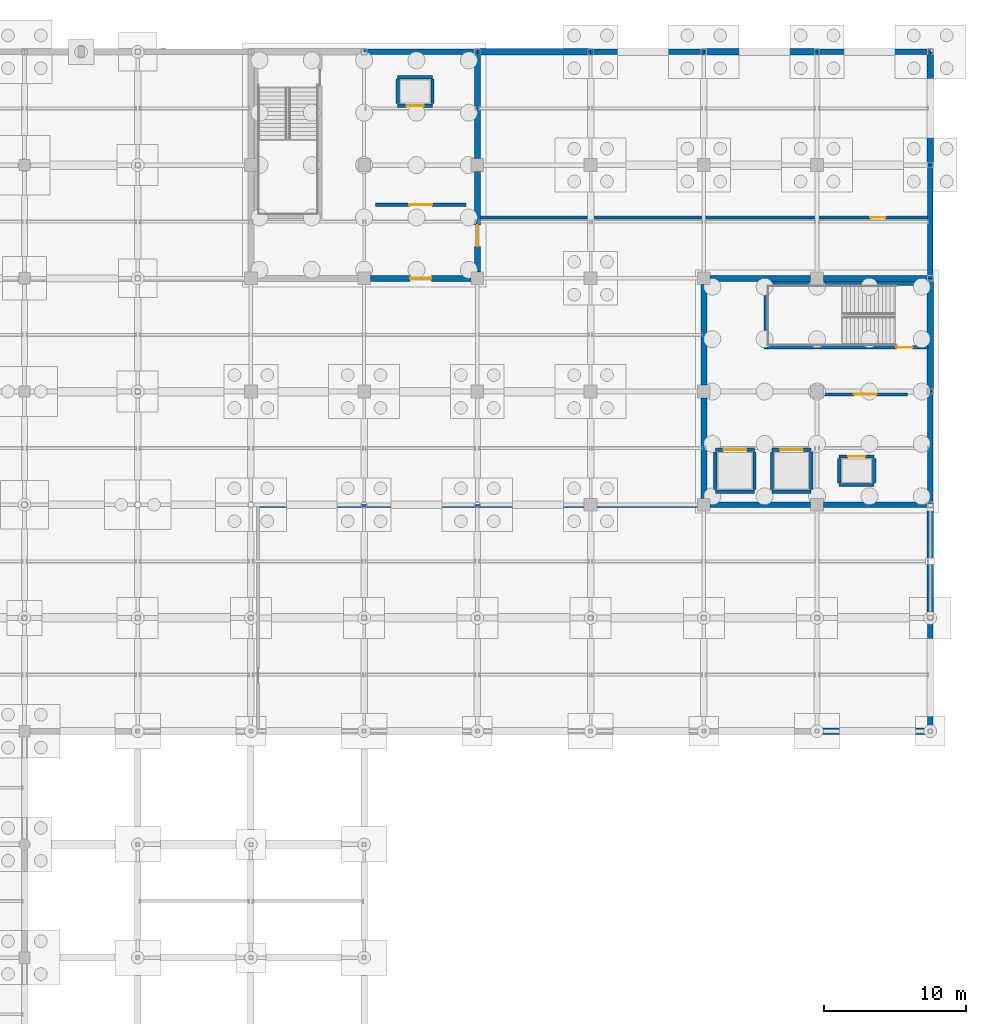
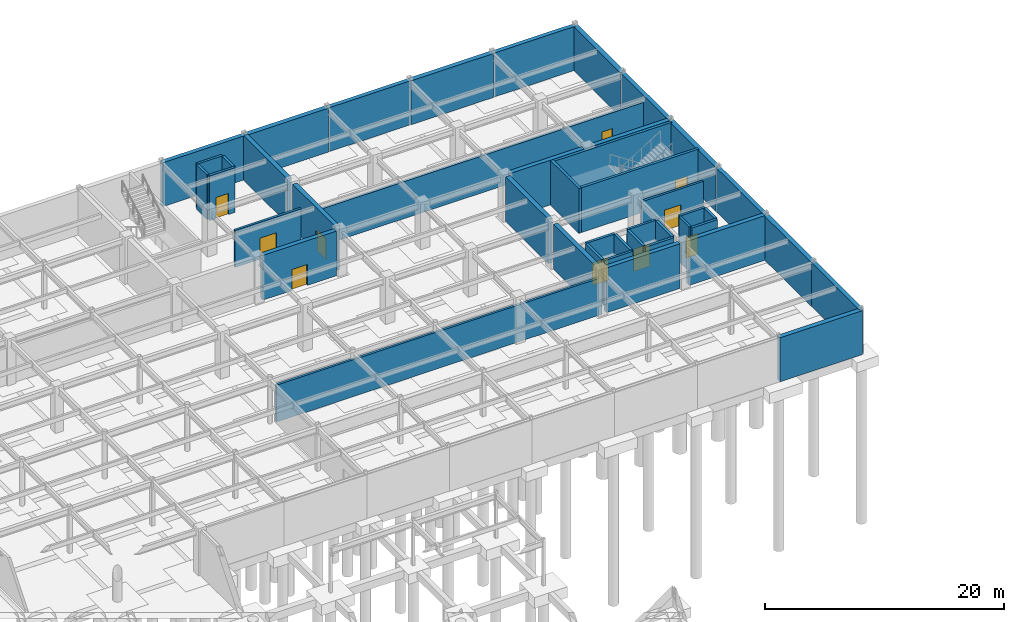
# One storey, part 61 of 105: 44 walls, 10 doors, 10 openings.
"""IFC4 building model written with IfcOpenShell, lengths in metres."""

import ifcopenshell
import ifcopenshell.guid

model = None  # the IFC model being written
_history = None  # IfcOwnerHistory: only IFC2X3 demands one
_inside = {}  # id of a spatial element -> (the spatial element, [elements in it])
_under = {}  # id of a project, library or spatial element -> (it, [spatial elements below it])
_declared = {}  # id of a project -> (the project, [libraries it declares])
_typed = {}  # id of a type object -> (the type object, [elements of that type])
_made_of = {}  # id of a material, layer set ... -> (it, [elements and type objects made of it])


def new_model(schema):
    """Start an empty IFC model of exactly this schema.

    Asked for "IFC4X3", IfcOpenShell would pick the latest addendum, in which some entities
    have other attributes; the version numbers below select the first issue.
    IFC2X3 requires an IfcOwnerHistory on every rooted entity: one is made here for all.
    """
    global model, _history
    if schema == "IFC4X3":
        model = ifcopenshell.file(schema_version=(4, 3, 0, 0))
    else:
        model = ifcopenshell.file(schema=schema)
    _inside.clear()
    _under.clear()
    _declared.clear()
    _typed.clear()
    _made_of.clear()
    _history = None
    if model.schema == "IFC2X3":
        org = make("IfcOrganization", Name="unknown")
        user = make(
            "IfcPersonAndOrganization",
            ThePerson=make("IfcPerson", FamilyName="unknown"),
            TheOrganization=org,
        )
        app = make(
            "IfcApplication",
            ApplicationDeveloper=org,
            Version="unknown",
            ApplicationFullName="unknown",
            ApplicationIdentifier="unknown",
        )
        _history = make(
            "IfcOwnerHistory",
            OwningUser=user,
            OwningApplication=app,
            ChangeAction="ADDED",
            CreationDate=0,
        )
    return model


def make(cls, **values):
    """One entity of the class cls with the attributes given. An attribute that is None is left unset."""
    return model.create_entity(
        cls, **{name: value for name, value in values.items() if value is not None}
    )


def rooted(cls, **values):
    """An entity with a GlobalId (a new one), such as an element, a storey or a relation."""
    return make(cls, GlobalId=ifcopenshell.guid.new(), OwnerHistory=_history, **values)


def si_unit(unit_type, name, prefix=None):
    """IfcSIUnit, for example si_unit("LENGTHUNIT", "METRE", prefix="MILLI")."""
    return make("IfcSIUnit", UnitType=unit_type, Prefix=prefix, Name=name)


def assignment(units):
    """IfcUnitAssignment: the units of a project."""
    return None if units is None else make("IfcUnitAssignment", Units=units)


def point(xyz):
    """IfcCartesianPoint."""
    return None if xyz is None else make("IfcCartesianPoint", Coordinates=xyz)


def direction(xyz):
    """IfcDirection."""
    return None if xyz is None else make("IfcDirection", DirectionRatios=xyz)


def frame(location, z_axis=None, x_axis=None):
    """IfcAxis2Placement3D, a coordinate frame: its origin and axes. An axis left out is left unset."""
    return make(
        "IfcAxis2Placement3D",
        Location=point(location),
        Axis=direction(z_axis),
        RefDirection=direction(x_axis),
    )


def frame_2d(location, x_axis=None):
    """IfcAxis2Placement2D, a coordinate frame in the plane: its origin and x axis."""
    return make(
        "IfcAxis2Placement2D", Location=point(location), RefDirection=direction(x_axis)
    )


def origin():
    """The frame at (0, 0, 0) with its axes left unset."""
    return frame((0.0, 0.0, 0.0))


def place(relative_to, where):
    """IfcLocalPlacement: puts the frame where relative to a parent placement (None: the world)."""
    return make(
        "IfcLocalPlacement", PlacementRelTo=relative_to, RelativePlacement=where
    )


def context(
    kind, dimensions, precision=None, world=None, true_north=None, identifier=None
):
    """IfcGeometricRepresentationContext, for example the 3D "Model" context."""
    return make(
        "IfcGeometricRepresentationContext",
        ContextIdentifier=identifier,
        ContextType=kind,
        CoordinateSpaceDimension=dimensions,
        Precision=precision,
        WorldCoordinateSystem=world,
        TrueNorth=true_north,
    )


def subcontext(parent, identifier, kind, view, scale=None):
    """IfcGeometricRepresentationSubContext, for example "Body" below "Model"."""
    return make(
        "IfcGeometricRepresentationSubContext",
        ContextIdentifier=identifier,
        ContextType=kind,
        ParentContext=parent,
        TargetScale=scale,
        TargetView=view,
    )


def project(units=None, contexts=None):
    """IfcProject with its units and contexts."""
    return rooted(
        "IfcProject",
        Name="project",
        RepresentationContexts=contexts,
        UnitsInContext=assignment(units),
    )


def spatial(cls, under=None, at=None, **own):
    """A site, building, storey or space (cls), placed at a placement, below another one or the project."""
    s = rooted(cls, ObjectPlacement=at, **own)
    if under is not None:
        _under.setdefault(under.id(), (under, []))[1].append(s)
    return s


def profile(cls, at=None, kind="AREA", **sizes):
    """A parametric profile (cls). Its sizes go by their IFC names, for example OverallWidth=200.0."""
    return make(cls, ProfileType=kind, Position=at, **sizes)


def rectangle(**sizes):
    """IfcRectangleProfileDef."""
    return profile("IfcRectangleProfileDef", **sizes)


def extrude(swept, where, along, depth):
    """IfcExtrudedAreaSolid: the profile swept, set in the frame where, extruded along a direction by depth."""
    return make(
        "IfcExtrudedAreaSolid",
        SweptArea=swept,
        Position=where,
        ExtrudedDirection=direction(along),
        Depth=depth,
    )


def shape(context_of_items, identifier, shape_type, items):
    """IfcShapeRepresentation: the items that make up one representation, for example the "Body"."""
    return make(
        "IfcShapeRepresentation",
        ContextOfItems=context_of_items,
        RepresentationIdentifier=identifier,
        RepresentationType=shape_type,
        Items=items,
    )


def material(Name=None, Category=None):
    """IfcMaterial."""
    return make("IfcMaterial", Name=Name, Category=Category)


def layer(
    of_material, thickness, ventilated=None, Name=None, Category=None, Priority=None
):
    """IfcMaterialLayer: one layer of a wall or slab, of a material (None: an air gap)."""
    return make(
        "IfcMaterialLayer",
        Material=of_material,
        LayerThickness=thickness,
        IsVentilated=ventilated,
        Name=Name,
        Category=Category,
        Priority=Priority,
    )


def layer_set(layers, Name=None):
    """IfcMaterialLayerSet."""
    return make("IfcMaterialLayerSet", MaterialLayers=layers, LayerSetName=Name)


def made_of(thing, what):
    """Note that an element or type object is made of a material, layer set ...; save() writes the relation."""
    if what is not None:
        _made_of.setdefault(what.id(), (what, []))[1].append(thing)
    return thing


def type_object(cls, material=None, **own):
    """A type object (cls), such as IfcWallType, which elements share."""
    return made_of(rooted(cls, **own), material)


def element(
    cls,
    number,
    at=None,
    inside=None,
    cuts=None,
    type_object=None,
    material=None,
    context=None,
    identifier="Body",
    shape_type=None,
    held_by="IfcProductDefinitionShape",
    body=None,
    shapes=None,
    **own,
):
    """One element of the class cls, such as IfcWall. Its Tag is "e" and its number.

    at: its placement. inside: the storey or other place that contains it. cuts: it is an
    opening in that element (IfcRelVoidsElement). A single representation is given by context,
    identifier, shape_type and body (its items); several are given by shapes. held_by: the class
    of the entity that holds the representations. save() writes the other relations.
    """
    e = rooted(cls, Tag="e%d" % number, ObjectPlacement=at, **own)
    if body is not None:
        shapes = [shape(context, identifier, shape_type, body)]
    if shapes is not None:
        e.Representation = make(held_by, Representations=shapes)
    if inside is not None:
        _inside.setdefault(inside.id(), (inside, []))[1].append(e)
    if cuts is not None:
        rooted(
            "IfcRelVoidsElement", RelatingBuildingElement=cuts, RelatedOpeningElement=e
        )
    if type_object is not None:
        _typed.setdefault(type_object.id(), (type_object, []))[1].append(e)
    return made_of(e, material)


def fill(opening, filler):
    """IfcRelFillsElement: the door or window that sits in an opening."""
    return rooted(
        "IfcRelFillsElement",
        RelatingOpeningElement=opening,
        RelatedBuildingElement=filler,
    )


def aggregate(whole, parts):
    """IfcRelAggregates: a whole, such as a stair, and the parts it consists of."""
    return rooted("IfcRelAggregates", RelatingObject=whole, RelatedObjects=parts)


def save(model, path):
    """Write the relations noted so far, then the file.

    IfcRelAggregates (storeys below a building ...), IfcRelContainedInSpatialStructure (elements
    in a storey), IfcRelDefinesByType, IfcRelAssociatesMaterial and IfcRelDeclares: one each for
    every whole, place, type object, material and project.
    """
    for whole, parts in _under.values():
        aggregate(whole, parts)
    for where, things in _inside.values():
        rooted(
            "IfcRelContainedInSpatialStructure",
            RelatedElements=things,
            RelatingStructure=where,
        )
    for kind, things in _typed.values():
        rooted("IfcRelDefinesByType", RelatedObjects=things, RelatingType=kind)
    for what, things in _made_of.values():
        rooted("IfcRelAssociatesMaterial", RelatedObjects=things, RelatingMaterial=what)
    for by, libraries in _declared.values():
        rooted("IfcRelDeclares", RelatingContext=by, RelatedDefinitions=libraries)
    model.write(path)


model = new_model("IFC4")

# Units and contexts
model_context = context("Model", 3, precision=1e-05, world=origin(), true_north=direction((0.0, 1.0)))
body_context = subcontext(model_context, "Body", "Model", "MODEL_VIEW")
ifc_project = project(units=[si_unit("LENGTHUNIT", "METRE"), si_unit("AREAUNIT", "SQUARE_METRE"), si_unit("VOLUMEUNIT", "CUBIC_METRE"), si_unit("PLANEANGLEUNIT", "RADIAN"), si_unit("MASSUNIT", "GRAM", prefix="KILO")], contexts=[model_context])

# Site, building, storey
site_placement = place(None, origin())
site = spatial("IfcSite", under=ifc_project, at=site_placement, CompositionType="ELEMENT")
building_placement = place(site_placement, origin())
building = spatial("IfcBuilding", under=site, at=building_placement, Name="Solmirada Galleria", CompositionType="ELEMENT")
storey_placement = place(building_placement, frame((0.0, 0.0, -4.800048828125)))
storey = spatial("IfcBuildingStorey", under=building, at=storey_placement, Name="B1", CompositionType="ELEMENT", Elevation=-4.800048828125)

# Wall, opening, door
ifc_material_1 = material(Name="Concrete C40/50", Category="concrete")
ifc_layer_1 = layer(ifc_material_1, 0.419921875)
ifc_layer_set_1 = layer_set([ifc_layer_1], Name="Concrete C40/50")
wall_type_1 = type_object("IfcWallType", Name="WL-CORE-420", PredefinedType="SHEAR", material=ifc_layer_set_1)
wall_1_placement = place(storey_placement, frame((136.449951171875, 104.0, 0.0), z_axis=(0.0, 0.0, 1.0), x_axis=(1.0, 0.0, 0.0)))
wall_1 = element("IfcWall", 1, at=wall_1_placement, inside=storey, type_object=wall_type_1, Name="Core C3 shear wall B1 S2", PredefinedType="SHEAR", context=body_context, shape_type="SweptSolid", body=[
    extrude(rectangle(XDim=7.10009765625, YDim=0.419921875, at=frame_2d((3.550048828125, 0.0))), origin(), (0.0, 0.0, 1.0), 4.580078125),
])
opening_1_placement = place(wall_1_placement, frame((2.800048828125, 0.0, 0.0)))
opening_1 = element("IfcOpeningElement", 2, at=opening_1_placement, cuts=wall_1, Name="Opening LDY-170", PredefinedType="OPENING", context=body_context, shape_type="SweptSolid", body=[
    extrude(rectangle(XDim=1.5, YDim=2.14990234375, at=frame_2d((0.75, 1.074951171875))), frame((0.0, 0.219970703125, 0.0), z_axis=(0.0, -1.0, 0.0), x_axis=(1.0, 0.0, 0.0)), (0.0, 0.0, 1.0), 0.43994140625),
])
ifc_material_2 = material(Name="Fire-rated painted steel door assembly", Category="steel")
door_type_1 = type_object("IfcDoorType", Name="DR-LOBBY-150X215", OperationType="DOUBLE_DOOR_SINGLE_SWING", PredefinedType="DOOR", material=ifc_material_2)
door_1_placement = place(opening_1_placement, origin())
door_1 = element("IfcDoor", 3, at=door_1_placement, inside=storey, type_object=door_type_1, Name="Core C3 lobby access fire door LDY-170", OperationType="DOUBLE_DOOR_SINGLE_SWING", OverallHeight=2.14990234375, OverallWidth=1.5, PredefinedType="DOOR", context=body_context, shape_type="SweptSolid", body=[
    extrude(rectangle(XDim=1.5, YDim=2.14990234375, at=frame_2d((0.75, 1.074951171875))), frame((0.0, 0.02490234375, 0.0), z_axis=(0.0, -1.0, 0.0), x_axis=(1.0, 0.0, 0.0)), (0.0, 0.0, 1.0), 0.050048828125),
])
fill(opening_1, door_1)

wall_2_placement = place(storey_placement, frame((144.0, 104.449951171875, 0.0), z_axis=(0.0, 0.0, 1.0), x_axis=(0.0, 1.0, 0.0)))
wall_2 = element("IfcWall", 4, at=wall_2_placement, inside=storey, type_object=wall_type_1, Name="Core C3 shear wall B1 E1", PredefinedType="SHEAR", context=body_context, shape_type="SweptSolid", body=[
    extrude(rectangle(XDim=7.10009765625, YDim=0.419921875, at=frame_2d((3.550048828125, 0.0))), origin(), (0.0, 0.0, 1.0), 4.580078125),
])
opening_2_placement = place(wall_2_placement, frame((1.800048828125, 0.0, 0.0)))
opening_2 = element("IfcOpeningElement", 5, at=opening_2_placement, cuts=wall_2, Name="Opening LDY-171", PredefinedType="OPENING", context=body_context, shape_type="SweptSolid", body=[
    extrude(rectangle(XDim=1.5, YDim=2.14990234375, at=frame_2d((0.75, 1.074951171875))), frame((0.0, 0.219970703125, 0.0), z_axis=(0.0, -1.0, 0.0), x_axis=(1.0, 0.0, 0.0)), (0.0, 0.0, 1.0), 0.43994140625),
])
door_2_placement = place(opening_2_placement, origin())
door_2 = element("IfcDoor", 6, at=door_2_placement, inside=storey, type_object=door_type_1, Name="Core C3 lobby access fire door LDY-171", OperationType="DOUBLE_DOOR_SINGLE_SWING", OverallHeight=2.14990234375, OverallWidth=1.5, PredefinedType="DOOR", context=body_context, shape_type="SweptSolid", body=[
    extrude(rectangle(XDim=1.5, YDim=2.14990234375, at=frame_2d((0.75, 1.074951171875))), frame((0.0, 0.02490234375, 0.0), z_axis=(0.0, -1.0, 0.0), x_axis=(1.0, 0.0, 0.0)), (0.0, 0.0, 1.0), 0.050048828125),
])
fill(opening_2, door_2)

# Walls
wall_3_placement = place(storey_placement, frame((144.0, 112.449951171875, 0.0), z_axis=(0.0, 0.0, 1.0), x_axis=(0.0, 1.0, 0.0)))
element("IfcWall", 7, at=wall_3_placement, inside=storey, type_object=wall_type_1, Name="Core C3 shear wall B1 E2", PredefinedType="SHEAR", context=body_context, shape_type="SweptSolid", body=[
    extrude(rectangle(XDim=7.34716796875, YDim=0.419921875, at=frame_2d((3.673583984375, 0.0))), origin(), (0.0, 0.0, 1.0), 4.580078125),
])
wall_4_placement = place(storey_placement, frame((160.449951171875, 88.0, 0.0), z_axis=(0.0, 0.0, 1.0), x_axis=(1.0, 0.0, 0.0)))
element("IfcWall", 8, at=wall_4_placement, inside=storey, type_object=wall_type_1, Name="Core C4 shear wall B1 S1", PredefinedType="SHEAR", context=body_context, shape_type="SweptSolid", body=[
    extrude(rectangle(XDim=7.10009765625, YDim=0.419921875, at=frame_2d((3.550048828125, 0.0))), origin(), (0.0, 0.0, 1.0), 4.580078125),
])
wall_5_placement = place(storey_placement, frame((168.449951171875, 88.0, 0.0), z_axis=(0.0, 0.0, 1.0), x_axis=(1.0, 0.0, 0.0)))
element("IfcWall", 9, at=wall_5_placement, inside=storey, type_object=wall_type_1, Name="Core C4 shear wall B1 S2", PredefinedType="SHEAR", context=body_context, shape_type="SweptSolid", body=[
    extrude(rectangle(XDim=7.34716796875, YDim=0.419921875, at=frame_2d((3.673583984375, 0.0))), origin(), (0.0, 0.0, 1.0), 4.580078125),
])
wall_6_placement = place(storey_placement, frame((160.449951171875, 104.0, 0.0), z_axis=(0.0, 0.0, 1.0), x_axis=(1.0, 0.0, 0.0)))
element("IfcWall", 10, at=wall_6_placement, inside=storey, type_object=wall_type_1, Name="Core C4 shear wall B1 N1", PredefinedType="SHEAR", context=body_context, shape_type="SweptSolid", body=[
    extrude(rectangle(XDim=7.10009765625, YDim=0.419921875, at=frame_2d((3.550048828125, 0.0))), origin(), (0.0, 0.0, 1.0), 4.580078125),
])
wall_7_placement = place(storey_placement, frame((168.449951171875, 104.0, 0.0), z_axis=(0.0, 0.0, 1.0), x_axis=(1.0, 0.0, 0.0)))
element("IfcWall", 11, at=wall_7_placement, inside=storey, type_object=wall_type_1, Name="Core C4 shear wall B1 N2", PredefinedType="SHEAR", context=body_context, shape_type="SweptSolid", body=[
    extrude(rectangle(XDim=7.34716796875, YDim=0.419921875, at=frame_2d((3.673583984375, 0.0))), origin(), (0.0, 0.0, 1.0), 4.580078125),
])
for number, where, z_axis, x_axis, name in (
    (12, (160.0, 88.449951171875, 0.0), (0.0, 0.0, 1.0), (0.0, 1.0, 0.0), "Core C4 shear wall B1 W1"),
    (13, (160.0, 96.449951171875, 0.0), (0.0, 0.0, 1.0), (0.0, 1.0, 0.0), "Core C4 shear wall B1 W2"),
):
    element("IfcWall", number, at=place(storey_placement, frame(where, z_axis=z_axis, x_axis=x_axis)), inside=storey, type_object=wall_type_1, Name=name, PredefinedType="SHEAR", context=body_context, shape_type="SweptSolid", body=[
        extrude(rectangle(XDim=7.10009765625, YDim=0.419921875, at=frame_2d((3.550048828125, 0.0))), origin(), (0.0, 0.0, 1.0), 4.580078125),
    ])

# Wall, opening, door
ifc_layer_2 = layer(ifc_material_1, 0.239990234375)
ifc_layer_set_2 = layer_set([ifc_layer_2], Name="Concrete C40/50")
wall_type_2 = type_object("IfcWallType", Name="WL-HOIST-240", PredefinedType="PARTITIONING", material=ifc_layer_set_2)
wall_8_placement = place(storey_placement, frame((138.3701171875, 116.195068359375, 0.0), z_axis=(0.0, 0.0, 1.0), x_axis=(1.0, 0.0, 0.0)))
wall_8 = element("IfcWall", 14, at=wall_8_placement, inside=storey, type_object=wall_type_2, Name="Lift FL1 hoistway front wall B1", PredefinedType="PARTITIONING", context=body_context, shape_type="SweptSolid", body=[
    extrude(rectangle(XDim=2.4599609375, YDim=0.239990234375, at=frame_2d((1.22998046875, 0.0))), origin(), (0.0, 0.0, 1.0), 4.580078125),
])
opening_3_placement = place(wall_8_placement, frame((0.6298828125, 0.0, 0.0)))
opening_3 = element("IfcOpeningElement", 15, at=opening_3_placement, cuts=wall_8, Name="Opening LD-FL1-B1", PredefinedType="OPENING", context=body_context, shape_type="SweptSolid", body=[
    extrude(rectangle(XDim=1.199951171875, YDim=2.14990234375, at=frame_2d((0.60009765625, 1.074951171875))), frame((0.0, 0.1298828125, 0.0), z_axis=(0.0, -1.0, 0.0), x_axis=(1.0, 0.0, 0.0)), (0.0, 0.0, 1.0), 0.260009765625),
])
ifc_material_3 = material(Name="Brushed stainless-steel sliding landing door", Category="steel")
door_type_2 = type_object("IfcDoorType", Name="DR-LIFT-120X215", OperationType="SLIDING_TO_LEFT", PredefinedType="DOOR", material=ifc_material_3)
door_3_placement = place(opening_3_placement, origin())
door_3 = element("IfcDoor", 16, at=door_3_placement, inside=storey, type_object=door_type_2, Name="Lift FL1 sliding landing door B1", OperationType="SLIDING_TO_LEFT", OverallHeight=2.14990234375, OverallWidth=1.199951171875, PredefinedType="DOOR", context=body_context, shape_type="SweptSolid", body=[
    extrude(rectangle(XDim=1.199951171875, YDim=2.14990234375, at=frame_2d((0.60009765625, 1.074951171875))), frame((0.0, 0.02490234375, 0.0), z_axis=(0.0, -1.0, 0.0), x_axis=(1.0, 0.0, 0.0)), (0.0, 0.0, 1.0), 0.050048828125),
])
fill(opening_3, door_3)

# Walls
wall_9_placement = place(storey_placement, frame((138.3701171875, 118.205078125, 0.0), z_axis=(0.0, 0.0, 1.0), x_axis=(1.0, 0.0, 0.0)))
element("IfcWall", 17, at=wall_9_placement, inside=storey, type_object=wall_type_2, Name="Lift FL1 hoistway rear wall B1", PredefinedType="PARTITIONING", context=body_context, shape_type="SweptSolid", body=[
    extrude(rectangle(XDim=2.4599609375, YDim=0.239990234375, at=frame_2d((1.22998046875, 0.0))), origin(), (0.0, 0.0, 1.0), 4.580078125),
])
for number, where, z_axis, x_axis, name in (
    (18, (138.3701171875, 116.3349609375, 0.0), (0.0, 0.0, 1.0), (0.0, 1.0, 0.0), "Lift FL1 hoistway side wall L B1"),
    (19, (140.830078125, 116.3349609375, 0.0), (0.0, 0.0, 1.0), (0.0, 1.0, 0.0), "Lift FL1 hoistway side wall R B1"),
):
    element("IfcWall", number, at=place(storey_placement, frame(where, z_axis=z_axis, x_axis=x_axis)), inside=storey, type_object=wall_type_2, Name=name, PredefinedType="PARTITIONING", context=body_context, shape_type="SweptSolid", body=[
        extrude(rectangle(XDim=1.72998046875, YDim=0.239990234375, at=frame_2d((0.864990234375, 0.0))), origin(), (0.0, 0.0, 1.0), 4.580078125),
    ])

# Wall, opening, door
wall_10_placement = place(storey_placement, frame((169.570068359375, 91.405029296875, 0.0), z_axis=(0.0, 0.0, 1.0), x_axis=(1.0, 0.0, 0.0)))
wall_10 = element("IfcWall", 20, at=wall_10_placement, inside=storey, type_object=wall_type_2, Name="Lift FL2 hoistway front wall B1", PredefinedType="PARTITIONING", context=body_context, shape_type="SweptSolid", body=[
    extrude(rectangle(XDim=2.4599609375, YDim=0.239990234375, at=frame_2d((1.22998046875, 0.0))), origin(), (0.0, 0.0, 1.0), 4.580078125),
])
opening_4_placement = place(wall_10_placement, frame((0.6298828125, 0.0, 0.0)))
opening_4 = element("IfcOpeningElement", 21, at=opening_4_placement, cuts=wall_10, Name="Opening LD-FL2-B1", PredefinedType="OPENING", context=body_context, shape_type="SweptSolid", body=[
    extrude(rectangle(XDim=1.199951171875, YDim=2.14990234375, at=frame_2d((0.60009765625, 1.074951171875))), frame((0.0, 0.1298828125, 0.0), z_axis=(0.0, -1.0, 0.0), x_axis=(1.0, 0.0, 0.0)), (0.0, 0.0, 1.0), 0.260009765625),
])
door_4_placement = place(opening_4_placement, origin())
door_4 = element("IfcDoor", 22, at=door_4_placement, inside=storey, type_object=door_type_2, Name="Lift FL2 sliding landing door B1", OperationType="SLIDING_TO_LEFT", OverallHeight=2.14990234375, OverallWidth=1.199951171875, PredefinedType="DOOR", context=body_context, shape_type="SweptSolid", body=[
    extrude(rectangle(XDim=1.199951171875, YDim=2.14990234375, at=frame_2d((0.60009765625, 1.074951171875))), frame((0.0, 0.02490234375, 0.0), z_axis=(0.0, -1.0, 0.0), x_axis=(1.0, 0.0, 0.0)), (0.0, 0.0, 1.0), 0.050048828125),
])
fill(opening_4, door_4)

# Walls
wall_11_placement = place(storey_placement, frame((169.570068359375, 89.39501953125, 0.0), z_axis=(0.0, 0.0, 1.0), x_axis=(1.0, 0.0, 0.0)))
element("IfcWall", 23, at=wall_11_placement, inside=storey, type_object=wall_type_2, Name="Lift FL2 hoistway rear wall B1", PredefinedType="PARTITIONING", context=body_context, shape_type="SweptSolid", body=[
    extrude(rectangle(XDim=2.4599609375, YDim=0.239990234375, at=frame_2d((1.22998046875, 0.0))), origin(), (0.0, 0.0, 1.0), 4.580078125),
])
for number, where, z_axis, x_axis, name in (
    (24, (169.570068359375, 89.534912109375, 0.0), (0.0, 0.0, 1.0), (0.0, 1.0, 0.0), "Lift FL2 hoistway side wall L B1"),
    (25, (172.030029296875, 89.534912109375, 0.0), (0.0, 0.0, 1.0), (0.0, 1.0, 0.0), "Lift FL2 hoistway side wall R B1"),
):
    element("IfcWall", number, at=place(storey_placement, frame(where, z_axis=z_axis, x_axis=x_axis)), inside=storey, type_object=wall_type_2, Name=name, PredefinedType="PARTITIONING", context=body_context, shape_type="SweptSolid", body=[
        extrude(rectangle(XDim=1.72998046875, YDim=0.239990234375, at=frame_2d((0.864990234375, 0.0))), origin(), (0.0, 0.0, 1.0), 4.580078125),
    ])

# Wall, opening, door
wall_12_placement = place(storey_placement, frame((164.820068359375, 91.8798828125, 0.0), z_axis=(0.0, 0.0, 1.0), x_axis=(1.0, 0.0, 0.0)))
wall_12 = element("IfcWall", 26, at=wall_12_placement, inside=storey, type_object=wall_type_2, Name="Lift GF1 hoistway front wall B1", PredefinedType="PARTITIONING", context=body_context, shape_type="SweptSolid", body=[
    extrude(rectangle(XDim=2.760009765625, YDim=0.239990234375, at=frame_2d((1.3798828125, 0.0))), origin(), (0.0, 0.0, 1.0), 4.580078125),
])
opening_5_placement = place(wall_12_placement, frame((0.580078125, 0.0, 0.0)))
opening_5 = element("IfcOpeningElement", 27, at=opening_5_placement, cuts=wall_12, Name="Opening LD-GF1-B1", PredefinedType="OPENING", context=body_context, shape_type="SweptSolid", body=[
    extrude(rectangle(XDim=1.60009765625, YDim=2.300048828125, at=frame_2d((0.800048828125, 1.14990234375))), frame((0.0, 0.1298828125, 0.0), z_axis=(0.0, -1.0, 0.0), x_axis=(1.0, 0.0, 0.0)), (0.0, 0.0, 1.0), 0.260009765625),
])
door_type_3 = type_object("IfcDoorType", Name="DR-LIFT-160X230", OperationType="SLIDING_TO_LEFT", PredefinedType="DOOR", material=ifc_material_3)
door_5_placement = place(opening_5_placement, origin())
door_5 = element("IfcDoor", 28, at=door_5_placement, inside=storey, type_object=door_type_3, Name="Lift GF1 sliding landing door B1", OperationType="SLIDING_TO_LEFT", OverallHeight=2.300048828125, OverallWidth=1.60009765625, PredefinedType="DOOR", context=body_context, shape_type="SweptSolid", body=[
    extrude(rectangle(XDim=1.60009765625, YDim=2.300048828125, at=frame_2d((0.800048828125, 1.14990234375))), frame((0.0, 0.02490234375, 0.0), z_axis=(0.0, -1.0, 0.0), x_axis=(1.0, 0.0, 0.0)), (0.0, 0.0, 1.0), 0.050048828125),
])
fill(opening_5, door_5)

# Walls
wall_13_placement = place(storey_placement, frame((164.820068359375, 88.919921875, 0.0), z_axis=(0.0, 0.0, 1.0), x_axis=(1.0, 0.0, 0.0)))
element("IfcWall", 29, at=wall_13_placement, inside=storey, type_object=wall_type_2, Name="Lift GF1 hoistway rear wall B1", PredefinedType="PARTITIONING", context=body_context, shape_type="SweptSolid", body=[
    extrude(rectangle(XDim=2.760009765625, YDim=0.239990234375, at=frame_2d((1.3798828125, 0.0))), origin(), (0.0, 0.0, 1.0), 4.580078125),
])
for number, where, z_axis, x_axis, name in (
    (30, (164.820068359375, 89.06005859375, 0.0), (0.0, 0.0, 1.0), (0.0, 1.0, 0.0), "Lift GF1 hoistway side wall L B1"),
    (31, (167.580078125, 89.06005859375, 0.0), (0.0, 0.0, 1.0), (0.0, 1.0, 0.0), "Lift GF1 hoistway side wall R B1"),
):
    element("IfcWall", number, at=place(storey_placement, frame(where, z_axis=z_axis, x_axis=x_axis)), inside=storey, type_object=wall_type_2, Name=name, PredefinedType="PARTITIONING", context=body_context, shape_type="SweptSolid", body=[
        extrude(rectangle(XDim=2.679931640625, YDim=0.239990234375, at=frame_2d((1.33984375, 0.0))), origin(), (0.0, 0.0, 1.0), 4.580078125),
    ])

# Wall, opening, door
wall_14_placement = place(storey_placement, frame((160.820068359375, 91.8798828125, 0.0), z_axis=(0.0, 0.0, 1.0), x_axis=(1.0, 0.0, 0.0)))
wall_14 = element("IfcWall", 32, at=wall_14_placement, inside=storey, type_object=wall_type_2, Name="Lift GF2 hoistway front wall B1", PredefinedType="PARTITIONING", context=body_context, shape_type="SweptSolid", body=[
    extrude(rectangle(XDim=2.760009765625, YDim=0.239990234375, at=frame_2d((1.3798828125, 0.0))), origin(), (0.0, 0.0, 1.0), 4.580078125),
])
opening_6_placement = place(wall_14_placement, frame((0.580078125, 0.0, 0.0)))
opening_6 = element("IfcOpeningElement", 33, at=opening_6_placement, cuts=wall_14, Name="Opening LD-GF2-B1", PredefinedType="OPENING", context=body_context, shape_type="SweptSolid", body=[
    extrude(rectangle(XDim=1.60009765625, YDim=2.300048828125, at=frame_2d((0.800048828125, 1.14990234375))), frame((0.0, 0.1298828125, 0.0), z_axis=(0.0, -1.0, 0.0), x_axis=(1.0, 0.0, 0.0)), (0.0, 0.0, 1.0), 0.260009765625),
])
door_6_placement = place(opening_6_placement, origin())
door_6 = element("IfcDoor", 34, at=door_6_placement, inside=storey, type_object=door_type_3, Name="Lift GF2 sliding landing door B1", OperationType="SLIDING_TO_LEFT", OverallHeight=2.300048828125, OverallWidth=1.60009765625, PredefinedType="DOOR", context=body_context, shape_type="SweptSolid", body=[
    extrude(rectangle(XDim=1.60009765625, YDim=2.300048828125, at=frame_2d((0.800048828125, 1.14990234375))), frame((0.0, 0.02490234375, 0.0), z_axis=(0.0, -1.0, 0.0), x_axis=(1.0, 0.0, 0.0)), (0.0, 0.0, 1.0), 0.050048828125),
])
fill(opening_6, door_6)

# Walls
wall_15_placement = place(storey_placement, frame((160.820068359375, 88.919921875, 0.0), z_axis=(0.0, 0.0, 1.0), x_axis=(1.0, 0.0, 0.0)))
element("IfcWall", 35, at=wall_15_placement, inside=storey, type_object=wall_type_2, Name="Lift GF2 hoistway rear wall B1", PredefinedType="PARTITIONING", context=body_context, shape_type="SweptSolid", body=[
    extrude(rectangle(XDim=2.760009765625, YDim=0.239990234375, at=frame_2d((1.3798828125, 0.0))), origin(), (0.0, 0.0, 1.0), 4.580078125),
])
for number, where, z_axis, x_axis, name in (
    (36, (160.820068359375, 89.06005859375, 0.0), (0.0, 0.0, 1.0), (0.0, 1.0, 0.0), "Lift GF2 hoistway side wall L B1"),
    (37, (163.580078125, 89.06005859375, 0.0), (0.0, 0.0, 1.0), (0.0, 1.0, 0.0), "Lift GF2 hoistway side wall R B1"),
):
    element("IfcWall", number, at=place(storey_placement, frame(where, z_axis=z_axis, x_axis=x_axis)), inside=storey, type_object=wall_type_2, Name=name, PredefinedType="PARTITIONING", context=body_context, shape_type="SweptSolid", body=[
        extrude(rectangle(XDim=2.679931640625, YDim=0.239990234375, at=frame_2d((1.33984375, 0.0))), origin(), (0.0, 0.0, 1.0), 4.580078125),
    ])

# Wall, opening, door
ifc_material_4 = material(Name="Fire-rated gypsum and steel-stud partition", Category="steel")
ifc_layer_3 = layer(ifc_material_4, 0.219970703125)
ifc_layer_set_3 = layer_set([ifc_layer_3], Name="Fire-rated gypsum and steel-stud partition")
wall_type_3 = type_object("IfcWallType", Name="WL-PART-220", PredefinedType="PARTITIONING", material=ifc_layer_set_3)
wall_16_placement = place(storey_placement, frame((136.800048828125, 109.199951171875, 0.0), z_axis=(0.0, 0.0, 1.0), x_axis=(1.0, 0.0, 0.0)))
wall_16 = element("IfcWall", 38, at=wall_16_placement, inside=storey, type_object=wall_type_3, Name="Firefighting lift lobby C3 smoke barrier B1", PredefinedType="PARTITIONING", context=body_context, shape_type="SweptSolid", body=[
    extrude(rectangle(XDim=6.39990234375, YDim=0.219970703125, at=frame_2d((3.199951171875, 0.0))), origin(), (0.0, 0.0, 1.0), 3.780029296875),
])
opening_7_placement = place(wall_16_placement, frame((2.39990234375, 0.0, 0.0)))
opening_7 = element("IfcOpeningElement", 39, at=opening_7_placement, cuts=wall_16, Name="Opening FD-172", PredefinedType="OPENING", context=body_context, shape_type="SweptSolid", body=[
    extrude(rectangle(XDim=1.60009765625, YDim=2.14990234375, at=frame_2d((0.800048828125, 1.074951171875))), frame((0.0, 0.119873046875, 0.0), z_axis=(0.0, -1.0, 0.0), x_axis=(1.0, 0.0, 0.0)), (0.0, 0.0, 1.0), 0.239990234375),
])
door_type_4 = type_object("IfcDoorType", Name="DR-FFLOB-160X215", OperationType="DOUBLE_DOOR_SINGLE_SWING", PredefinedType="DOOR", material=ifc_material_2)
door_7_placement = place(opening_7_placement, origin())
door_7 = element("IfcDoor", 40, at=door_7_placement, inside=storey, type_object=door_type_4, Name="Firefighting lift lobby internal door FD-172", OperationType="DOUBLE_DOOR_SINGLE_SWING", OverallHeight=2.14990234375, OverallWidth=1.60009765625, PredefinedType="DOOR", context=body_context, shape_type="SweptSolid", body=[
    extrude(rectangle(XDim=1.60009765625, YDim=2.14990234375, at=frame_2d((0.800048828125, 1.074951171875))), frame((0.0, 0.02490234375, 0.0), z_axis=(0.0, -1.0, 0.0), x_axis=(1.0, 0.0, 0.0)), (0.0, 0.0, 1.0), 0.050048828125),
])
fill(opening_7, door_7)

wall_17_placement = place(storey_placement, frame((168.39990234375, 95.800048828125, 0.0), z_axis=(0.0, 0.0, 1.0), x_axis=(1.0, 0.0, 0.0)))
wall_17 = element("IfcWall", 41, at=wall_17_placement, inside=storey, type_object=wall_type_3, Name="Firefighting lift lobby C4 smoke barrier B1", PredefinedType="PARTITIONING", context=body_context, shape_type="SweptSolid", body=[
    extrude(rectangle(XDim=6.0, YDim=0.219970703125, at=frame_2d((3.0, 0.0))), origin(), (0.0, 0.0, 1.0), 3.780029296875),
])
opening_8_placement = place(wall_17_placement, frame((2.199951171875, 0.0, 0.0)))
opening_8 = element("IfcOpeningElement", 42, at=opening_8_placement, cuts=wall_17, Name="Opening FD-206", PredefinedType="OPENING", context=body_context, shape_type="SweptSolid", body=[
    extrude(rectangle(XDim=1.60009765625, YDim=2.14990234375, at=frame_2d((0.800048828125, 1.074951171875))), frame((0.0, 0.119873046875, 0.0), z_axis=(0.0, -1.0, 0.0), x_axis=(1.0, 0.0, 0.0)), (0.0, 0.0, 1.0), 0.239990234375),
])
door_8_placement = place(opening_8_placement, origin())
door_8 = element("IfcDoor", 43, at=door_8_placement, inside=storey, type_object=door_type_4, Name="Firefighting lift lobby internal door FD-206", OperationType="DOUBLE_DOOR_SINGLE_SWING", OverallHeight=2.14990234375, OverallWidth=1.60009765625, PredefinedType="DOOR", context=body_context, shape_type="SweptSolid", body=[
    extrude(rectangle(XDim=1.60009765625, YDim=2.14990234375, at=frame_2d((0.800048828125, 1.074951171875))), frame((0.0, 0.02490234375, 0.0), z_axis=(0.0, -1.0, 0.0), x_axis=(1.0, 0.0, 0.0)), (0.0, 0.0, 1.0), 0.050048828125),
])
fill(opening_8, door_8)

# Wall
wall_18_placement = place(storey_placement, frame((128.5, 87.89990234375, 0.0), z_axis=(0.0, 0.0, 1.0), x_axis=(1.0, 0.0, 0.0)))
element("IfcWall", 44, at=wall_18_placement, inside=storey, type_object=wall_type_3, Name="Partition B1-005 (Chiller Plant North)", PredefinedType="PARTITIONING", context=body_context, shape_type="SweptSolid", body=[
    extrude(rectangle(XDim=31.5, YDim=0.219970703125, at=frame_2d((15.75, 0.0))), origin(), (0.0, 0.0, 1.0), 3.780029296875),
])

# Wall, opening, door
wall_19_placement = place(storey_placement, frame((144.0, 108.300048828125, 0.0), z_axis=(0.0, 0.0, 1.0), x_axis=(1.0, 0.0, 0.0)))
wall_19 = element("IfcWall", 45, at=wall_19_placement, inside=storey, type_object=wall_type_3, Name="Partition B1-006 (Substation)", PredefinedType="PARTITIONING", context=body_context, shape_type="SweptSolid", body=[
    extrude(rectangle(XDim=31.85009765625, YDim=0.219970703125, at=frame_2d((15.925048828125, 0.0))), origin(), (0.0, 0.0, 1.0), 3.780029296875),
])
opening_9_placement = place(wall_19_placement, frame((27.77392578125, 0.0, 0.0)))
opening_9 = element("IfcOpeningElement", 46, at=opening_9_placement, cuts=wall_19, Name="Opening ID-261", PredefinedType="OPENING", context=body_context, shape_type="SweptSolid", body=[
    extrude(rectangle(XDim=1.050048828125, YDim=2.14990234375, at=frame_2d((0.52490234375, 1.074951171875))), frame((0.0, 0.119873046875, 0.0), z_axis=(0.0, -1.0, 0.0), x_axis=(1.0, 0.0, 0.0)), (0.0, 0.0, 1.0), 0.239990234375),
])
door_type_5 = type_object("IfcDoorType", Name="DR-FIRE-105X215", OperationType="NOTDEFINED", PredefinedType="DOOR", material=ifc_material_2)
door_9_placement = place(opening_9_placement, origin())
door_9 = element("IfcDoor", 47, at=door_9_placement, inside=storey, type_object=door_type_5, Name="Substation door ID-261", OperationType="SINGLE_SWING_LEFT", OverallHeight=2.14990234375, OverallWidth=1.050048828125, PredefinedType="DOOR", context=body_context, shape_type="SweptSolid", body=[
    extrude(rectangle(XDim=1.050048828125, YDim=2.14990234375, at=frame_2d((0.52490234375, 1.074951171875))), frame((0.0, 0.02490234375, 0.0), z_axis=(0.0, -1.0, 0.0), x_axis=(1.0, 0.0, 0.0)), (0.0, 0.0, 1.0), 0.050048828125),
])
fill(opening_9, door_9)

# Walls
ifc_material_5 = material(Name="Concrete C35/45", Category="concrete")
ifc_layer_4 = layer(ifc_material_5, 0.39990234375)
ifc_layer_set_4 = layer_set([ifc_layer_4], Name="Concrete C35/45")
wall_type_4 = type_object("IfcWallType", Name="WL-RET-400", PredefinedType="USERDEFINED", material=ifc_layer_set_4)
for number, where, z_axis, x_axis, name in (
    (48, (136.0, 120.0, 0.0), (0.0, 0.0, 1.0), (1.0, 0.0, 0.0), "Basement retaining wall 073"),
    (49, (152.0, 120.0, 0.0), (0.0, 0.0, 1.0), (1.0, 0.0, 0.0), "Basement retaining wall 075"),
    (50, (168.0, 120.0, 0.0), (0.0, 0.0, 1.0), (1.0, 0.0, 0.0), "Basement retaining wall 077"),
    (51, (176.0, 112.0, 0.0), (0.0, 0.0, 1.0), (0.0, -1.0, 0.0), "Basement retaining wall 079"),
    (52, (176.0, 96.0, 0.0), (0.0, 0.0, 1.0), (0.0, -1.0, 0.0), "Basement retaining wall 081"),
    (53, (176.0, 80.0, 0.0), (0.0, 0.0, 1.0), (0.0, -1.0, 0.0), "Basement retaining wall 083"),
):
    element("IfcWall", number, at=place(storey_placement, frame(where, z_axis=z_axis, x_axis=x_axis)), inside=storey, type_object=wall_type_4, Name=name, ObjectType="RETAININGWALL", PredefinedType="USERDEFINED", context=body_context, shape_type="SweptSolid", body=[
        extrude(rectangle(XDim=8.0, YDim=0.39990234375, at=frame_2d((4.0, 0.0))), origin(), (0.0, 0.0, 1.0), 4.5),
    ])
ifc_layer_5 = layer(ifc_material_5, 0.449951171875)
ifc_layer_set_5 = layer_set([ifc_layer_5], Name="Concrete C35/45")
wall_type_5 = type_object("IfcWallType", Name="WL-RET-450", PredefinedType="USERDEFINED", material=ifc_layer_set_5)
for number, where, z_axis, x_axis, name in (
    (54, (144.0, 120.0, 0.0), (0.0, 0.0, 1.0), (1.0, 0.0, 0.0), "Basement retaining wall 074"),
    (55, (160.0, 120.0, 0.0), (0.0, 0.0, 1.0), (1.0, 0.0, 0.0), "Basement retaining wall 076"),
    (56, (176.0, 120.0, 0.0), (0.0, 0.0, 1.0), (0.0, -1.0, 0.0), "Basement retaining wall 078"),
    (57, (176.0, 104.0, 0.0), (0.0, 0.0, 1.0), (0.0, -1.0, 0.0), "Basement retaining wall 080"),
    (58, (176.0, 88.0, 0.0), (0.0, 0.0, 1.0), (0.0, -1.0, 0.0), "Basement retaining wall 082"),
    (59, (176.0, 72.0, 0.0), (0.0, 0.0, 1.0), (-1.0, 0.0, 0.0), "Basement retaining wall 084"),
):
    element("IfcWall", number, at=place(storey_placement, frame(where, z_axis=z_axis, x_axis=x_axis)), inside=storey, type_object=wall_type_5, Name=name, ObjectType="RETAININGWALL", PredefinedType="USERDEFINED", context=body_context, shape_type="SweptSolid", body=[
        extrude(rectangle(XDim=8.0, YDim=0.449951171875, at=frame_2d((4.0, 0.0))), origin(), (0.0, 0.0, 1.0), 4.5),
    ])
ifc_layer_6 = layer(ifc_material_1, 0.260009765625)
ifc_layer_set_6 = layer_set([ifc_layer_6], Name="Concrete C40/50")
wall_type_6 = type_object("IfcWallType", Name="WL-SHAFT-260", PredefinedType="SHEAR", material=ifc_layer_set_6)
wall_20_placement = place(storey_placement, frame((164.3701171875, 98.989990234375, 0.0), z_axis=(0.0, 0.0, 1.0), x_axis=(0.0, 1.0, 0.0)))
element("IfcWall", 60, at=wall_20_placement, inside=storey, type_object=wall_type_6, Name="Stair ST4 enclosure wall B1 W", PredefinedType="SHEAR", context=body_context, shape_type="SweptSolid", body=[
    extrude(rectangle(XDim=4.77001953125, YDim=0.260009765625, at=frame_2d((2.385009765625, 0.0))), origin(), (0.0, 0.0, 1.0), 4.580078125),
])

# Wall, opening, door
wall_21_placement = place(storey_placement, frame((164.5, 99.1201171875, 0.0), z_axis=(0.0, 0.0, 1.0), x_axis=(1.0, 0.0, 0.0)))
wall_21 = element("IfcWall", 61, at=wall_21_placement, inside=storey, type_object=wall_type_6, Name="Stair ST4 enclosure wall B1 S", PredefinedType="SHEAR", context=body_context, shape_type="SweptSolid", body=[
    extrude(rectangle(XDim=11.35498046875, YDim=0.260009765625, at=frame_2d((5.677490234375, 0.0))), origin(), (0.0, 0.0, 1.0), 4.580078125),
])
opening_10_placement = place(wall_21_placement, frame((9.10009765625, 0.0, 0.0)))
opening_10 = element("IfcOpeningElement", 62, at=opening_10_placement, cuts=wall_21, Name="Opening SD-205", PredefinedType="OPENING", context=body_context, shape_type="SweptSolid", body=[
    extrude(rectangle(XDim=1.14990234375, YDim=2.14990234375, at=frame_2d((0.574951171875, 1.074951171875))), frame((0.0, 0.139892578125, 0.0), z_axis=(0.0, -1.0, 0.0), x_axis=(1.0, 0.0, 0.0)), (0.0, 0.0, 1.0), 0.280029296875),
])
door_type_6 = type_object("IfcDoorType", Name="DR-STAIR-115X215", OperationType="NOTDEFINED", PredefinedType="DOOR", material=ifc_material_2)
door_10_placement = place(opening_10_placement, origin())
door_10 = element("IfcDoor", 63, at=door_10_placement, inside=storey, type_object=door_type_6, Name="Exit stair ST4 enclosure fire door SD-205", OperationType="SINGLE_SWING_RIGHT", OverallHeight=2.14990234375, OverallWidth=1.14990234375, PredefinedType="DOOR", context=body_context, shape_type="SweptSolid", body=[
    extrude(rectangle(XDim=1.14990234375, YDim=2.14990234375, at=frame_2d((0.574951171875, 1.074951171875))), frame((0.0, 0.02490234375, 0.0), z_axis=(0.0, -1.0, 0.0), x_axis=(1.0, 0.0, 0.0)), (0.0, 0.0, 1.0), 0.050048828125),
])
fill(opening_10, door_10)

# Wall
wall_22_placement = place(storey_placement, frame((164.5, 103.6298828125, 0.0), z_axis=(0.0, 0.0, 1.0), x_axis=(1.0, 0.0, 0.0)))
element("IfcWall", 64, at=wall_22_placement, inside=storey, type_object=wall_type_6, Name="Stair ST4 enclosure wall B1 N", PredefinedType="SHEAR", context=body_context, shape_type="SweptSolid", body=[
    extrude(rectangle(XDim=11.35498046875, YDim=0.260009765625, at=frame_2d((5.677490234375, 0.0))), origin(), (0.0, 0.0, 1.0), 4.580078125),
])

save(model, "model.ifc")
